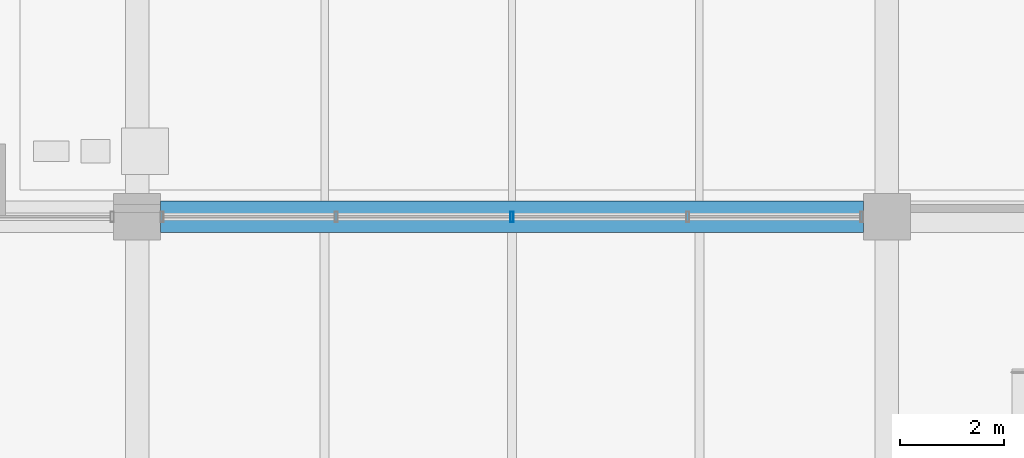
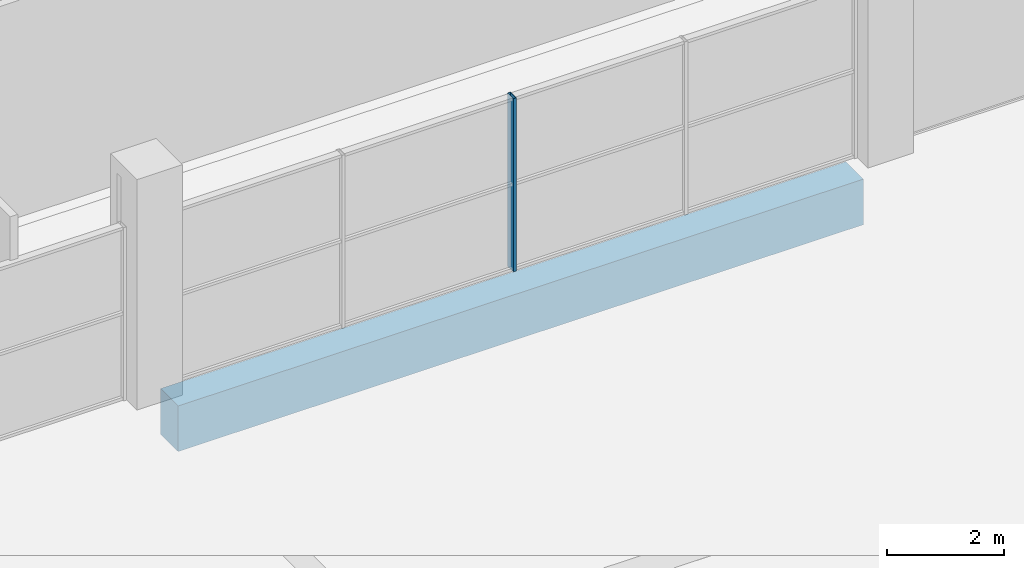
# One storey, part 43 of 130: 1 beam, 1 member, 1 element without a shape of its own.
"""IFC4 building model written with IfcOpenShell, lengths in metres."""

from ifc_helpers import new_model, si_unit, direction, frame, origin, origin_2d, place, context, subcontext, project, spatial, rectangle, hollow_rectangle, extrude, material, material_profile, profile_set, type_object, element, aggregate, save


model = new_model("IFC4")

# Units and contexts
model_context = context("Model", 3, precision=1e-05, world=origin(), true_north=direction((0.0, 1.0)))
body_context = subcontext(model_context, "Body", "Model", "MODEL_VIEW")
ifc_project = project(units=[si_unit("LENGTHUNIT", "METRE"), si_unit("AREAUNIT", "SQUARE_METRE"), si_unit("VOLUMEUNIT", "CUBIC_METRE"), si_unit("PLANEANGLEUNIT", "RADIAN"), si_unit("MASSUNIT", "GRAM", prefix="KILO"), si_unit("THERMODYNAMICTEMPERATUREUNIT", "KELVIN")], contexts=[model_context])

# Site, building, storey
site_placement = place(None, origin())
site = spatial("IfcSite", under=ifc_project, at=site_placement, CompositionType="ELEMENT")
building_placement = place(site_placement, origin())
building = spatial("IfcBuilding", under=site, at=building_placement, Name="Nduvali Passage Aquatics Centre", CompositionType="ELEMENT")
storey_placement = place(building_placement, origin())
storey = spatial("IfcBuildingStorey", under=building, at=storey_placement, Name="L00", CompositionType="ELEMENT", Elevation=0.0)

# Curtain wall, member
ifc_material_1 = material(Name="Aluminium EN AW-6063 T6", Category="aluminium")
curtain_wall_type = type_object("IfcCurtainWallType", Name="ENV-CW-HALL", PredefinedType="NOTDEFINED", material=ifc_material_1)
curtain_wall_placement = place(storey_placement, origin())
curtain_wall = element("IfcCurtainWall", 1, at=curtain_wall_placement, inside=storey, type_object=curtain_wall_type, Name="L00 North Pool Hall Hydro-Pool Screen 060", PredefinedType="NOTDEFINED")
ifc_material_profile_1 = material_profile(ifc_material_1, hollow_rectangle(XDim=0.06005859375, YDim=0.199951171875, WallThickness=0.00390625, at=origin_2d()), Name="ALU MULLION 60x200x4")
ifc_profile_set_1 = profile_set([ifc_material_profile_1], Name="Aluminium EN AW-6063 T6")
member_type = type_object("IfcMemberType", Name="ENV-MEM-MUL80", PredefinedType="MULLION", material=ifc_profile_set_1)
member_placement = place(storey_placement, frame((61.199951171875, 92.39990234375, 0.0), z_axis=(0.0, 0.0, 1.0), x_axis=(1.0, 0.0, 0.0)))
member = element("IfcMember", 2, at=member_placement, type_object=member_type, Name="North Pool Hall Hydro-Pool Screen Mullion 3", PredefinedType="MULLION", context=body_context, shape_type="SweptSolid", body=[
    extrude(hollow_rectangle(XDim=0.06005859375, YDim=0.199951171875, WallThickness=0.00390625, at=origin_2d()), origin(), (0.0, 0.0, 1.0), 3.605712890625),
])
aggregate(curtain_wall, [member])

# Beam
ifc_material_2 = material(Name="Concrete C40/50", Category="concrete")
ifc_material_profile_2 = material_profile(ifc_material_2, rectangle(XDim=0.60009765625, YDim=0.949951171875, at=origin_2d()), Name="RC 600x950")
ifc_profile_set_2 = profile_set([ifc_material_profile_2], Name="Concrete C40/50")
beam_type = type_object("IfcBeamType", Name="STR-BM-RC6095-EXT", PredefinedType="BEAM", material=ifc_profile_set_2)
beam_placement = place(storey_placement, frame((54.449951171875, 92.39990234375, -0.794921875), z_axis=(1.0, 0.0, 0.0), x_axis=(0.0, 1.0, 0.0)))
element("IfcBeam", 3, at=beam_placement, inside=storey, type_object=beam_type, Name="L00 Primary X-Girder B1E-0087", PredefinedType="BEAM", context=body_context, shape_type="SweptSolid", body=[
    extrude(rectangle(XDim=0.60009765625, YDim=0.949951171875, at=origin_2d()), origin(), (0.0, 0.0, 1.0), 13.5),
])

save(model, "model.ifc")
